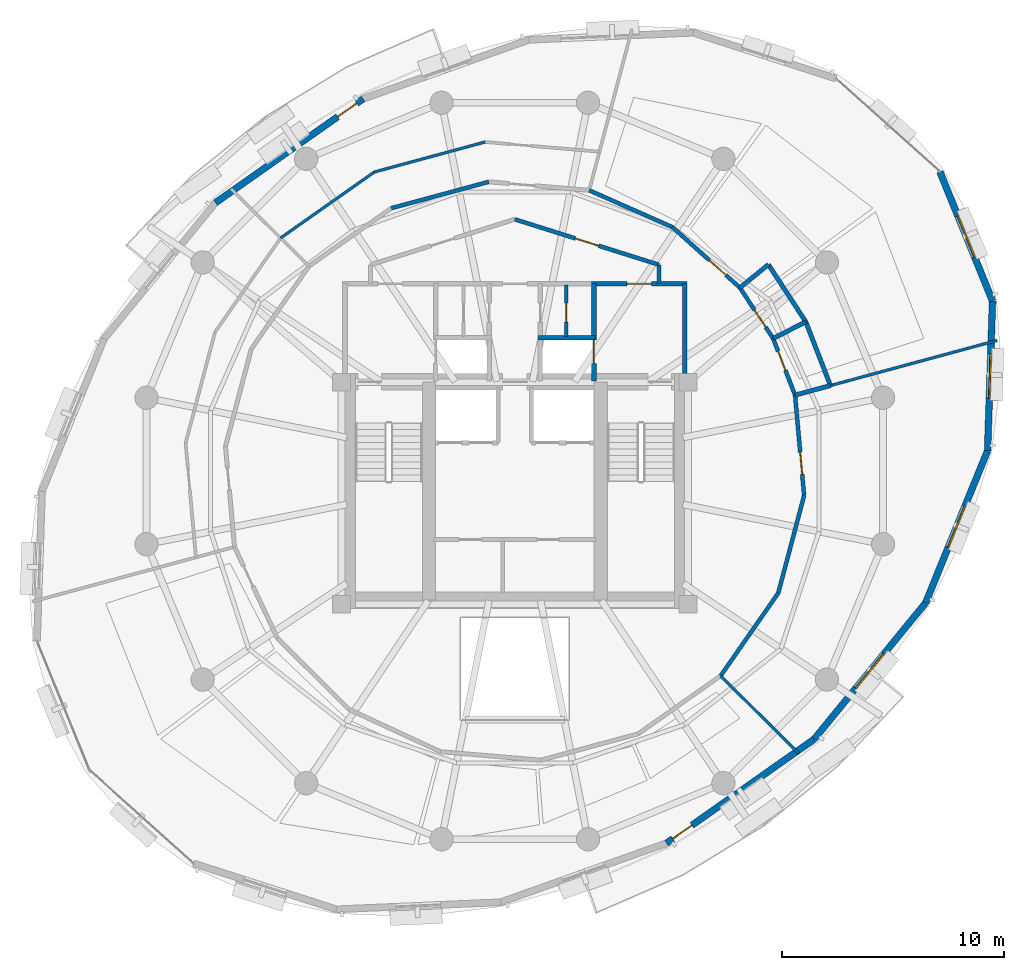
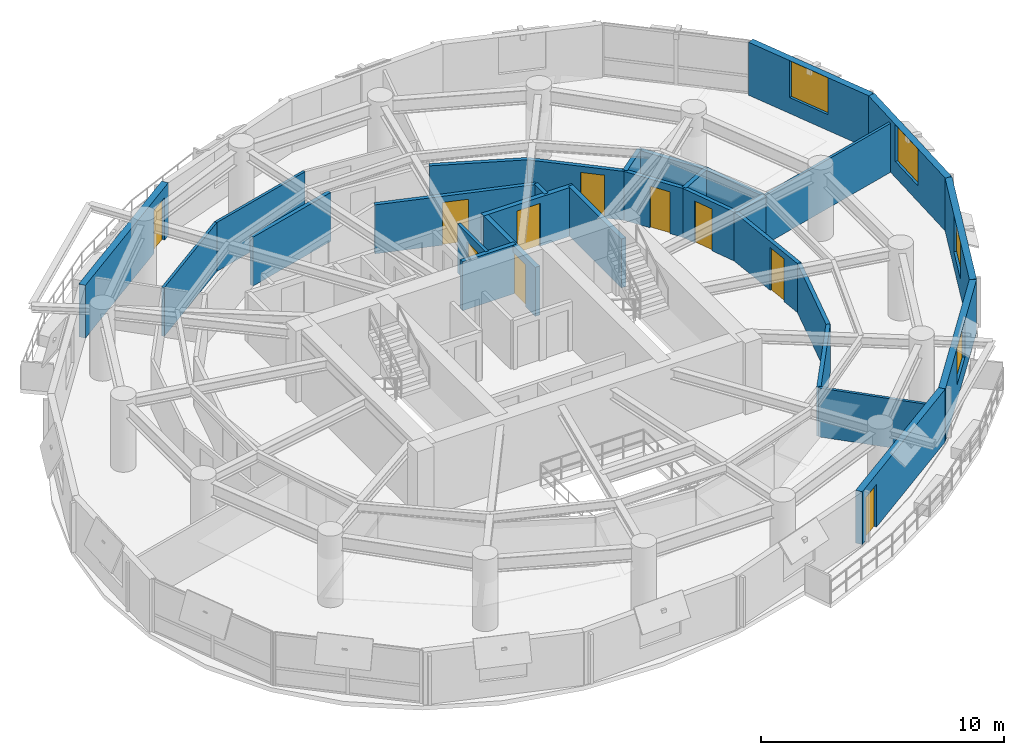
# One storey, part 8 of 11: 30 walls, 10 doors, 4 windows, 14 openings.
"""IFC4 building model written with IfcOpenShell, lengths in metres."""

from ifc_helpers import new_model, si_unit, direction, frame, frame_2d, origin, place, context, subcontext, project, spatial, rectangle, extrude, material, layer, layer_set, type_object, element, fill, save


model = new_model("IFC4")

# Units and contexts
model_context = context("Model", 3, precision=1e-05, world=origin(), true_north=direction((0.0, 1.0)))
body_context = subcontext(model_context, "Body", "Model", "MODEL_VIEW")
ifc_project = project(units=[si_unit("LENGTHUNIT", "METRE"), si_unit("AREAUNIT", "SQUARE_METRE"), si_unit("VOLUMEUNIT", "CUBIC_METRE"), si_unit("PLANEANGLEUNIT", "RADIAN"), si_unit("MASSUNIT", "GRAM", prefix="KILO"), si_unit("THERMODYNAMICTEMPERATUREUNIT", "KELVIN"), si_unit("POWERUNIT", "WATT")], contexts=[model_context])

# Site, building, storey
site_placement = place(None, origin())
site = spatial("IfcSite", under=ifc_project, at=site_placement, CompositionType="ELEMENT")
building_placement = place(site_placement, origin())
building = spatial("IfcBuilding", under=site, at=building_placement, Name="Ocrelia Relay Tower", CompositionType="ELEMENT")
storey_placement = place(building_placement, frame((0.0, 0.0, 180.800048828125)))
storey = spatial("IfcBuildingStorey", under=building, at=storey_placement, Name="L43", CompositionType="ELEMENT", Elevation=180.800048828125)

# Wall
ifc_material_1 = material(Name="Gypsum Fireboard Partition EI60", Category="gypsum")
ifc_layer_1 = layer(ifc_material_1, 0.179931640625, Name="Gypsum Fireboard Partition EI60")
ifc_layer_set_1 = layer_set([ifc_layer_1], Name="Gypsum Fireboard Partition EI60")
wall_type_1 = type_object("IfcWallType", Name="W-CORR-EI60-180", PredefinedType="PARTITIONING", material=ifc_layer_set_1)
wall_1_placement = place(storey_placement, frame((40.5, 35.280029296875, 0.0), z_axis=(0.0, 0.0, 1.0), x_axis=(0.0, -1.0, 0.0)))
element("IfcWall", 1, at=wall_1_placement, inside=storey, type_object=wall_type_1, Name="L43 Smoke Lobby East Return", PredefinedType="PARTITIONING", context=body_context, shape_type="SweptSolid", body=[
    extrude(rectangle(XDim=0.85009765625, YDim=0.179931640625, at=frame_2d((0.425048828125, 0.0))), origin(), (0.0, 0.0, 1.0), 2.4599609375),
])

# Wall, opening, door
wall_2_placement = place(storey_placement, frame((34.0, 37.330078125, 0.0), z_axis=(0.0, 0.0, 1.0), x_axis=(0.953691418528, -0.300786765376, 0.0)))
wall_2 = element("IfcWall", 2, at=wall_2_placement, inside=storey, type_object=wall_type_1, Name="L43 North Smoke Lobby E Screen Wall", PredefinedType="PARTITIONING", context=body_context, shape_type="SweptSolid", body=[
    extrude(rectangle(XDim=6.815673828125, YDim=0.179931640625, at=frame_2d((3.40771484375, 0.0))), origin(), (0.0, 0.0, 1.0), 2.4599609375),
])
opening_1_placement = place(wall_2_placement, frame((2.85791015625, 0.0, 0.0)))
opening_1 = element("IfcOpeningElement", 3, at=opening_1_placement, cuts=wall_2, Name="Opening D-FD60", PredefinedType="OPENING", context=body_context, shape_type="SweptSolid", body=[
    extrude(rectangle(XDim=1.10009765625, YDim=2.14990234375, at=frame_2d((0.550048828125, 1.074951171875))), frame((0.0, 0.10009765625, 0.0), z_axis=(0.0, -1.0, 0.0), x_axis=(1.0, 0.0, 0.0)), (0.0, 0.0, 1.0), 0.199951171875),
])
ifc_material_2 = material(Name="Timber-core 60-min acoustic fire door", Category="wood")
door_type_1 = type_object("IfcDoorType", Name="DR-LOBBY-FD60-1100", OperationType="NOTDEFINED", PredefinedType="DOOR", material=ifc_material_2)
door_1_placement = place(opening_1_placement, origin())
door_1 = element("IfcDoor", 4, at=door_1_placement, inside=storey, type_object=door_type_1, Name="L43 North Smoke Lobby E Fire Door", OperationType="SINGLE_SWING_LEFT", OverallHeight=2.14990234375, OverallWidth=1.10009765625, PredefinedType="DOOR", context=body_context, shape_type="SweptSolid", body=[
    extrude(rectangle(XDim=1.10009765625, YDim=2.14990234375, at=frame_2d((0.550048828125, 1.074951171875))), frame((0.0, 0.02490234375, 0.0), z_axis=(0.0, -1.0, 0.0), x_axis=(1.0, 0.0, 0.0)), (0.0, 0.0, 1.0), 0.050048828125),
])
fill(opening_1, door_1)

wall_3_placement = place(storey_placement, frame((46.61572265625, 29.415771484375, 0.0), z_axis=(0.0, 0.0, 1.0), x_axis=(-0.360798574026, 0.932643763171, 0.0)))
wall_3 = element("IfcWall", 5, at=wall_3_placement, inside=storey, type_object=wall_type_1, Name="L43 Staff Toilet Corridor Wall", PredefinedType="PARTITIONING", context=body_context, shape_type="SweptSolid", body=[
    extrude(rectangle(XDim=2.732421875, YDim=0.179931640625, at=frame_2d((1.3662109375, 0.0))), origin(), (0.0, 0.0, 1.0), 2.4599609375),
])
opening_2_placement = place(wall_3_placement, frame((1.19677734375, 0.0, 0.0)))
opening_2 = element("IfcOpeningElement", 6, at=opening_2_placement, cuts=wall_3, Name="Opening D-WC92", PredefinedType="OPENING", context=body_context, shape_type="SweptSolid", body=[
    extrude(rectangle(XDim=0.919921875, YDim=2.10009765625, at=frame_2d((0.4599609375, 1.050048828125))), frame((0.0, 0.10009765625, 0.0), z_axis=(0.0, -1.0, 0.0), x_axis=(1.0, 0.0, 0.0)), (0.0, 0.0, 1.0), 0.199951171875),
])
ifc_material_3 = material(Name="Laminate washroom door", Category="wood")
door_type_2 = type_object("IfcDoorType", Name="DR-WC-920", OperationType="NOTDEFINED", PredefinedType="DOOR", material=ifc_material_3)
door_2_placement = place(opening_2_placement, origin())
door_2 = element("IfcDoor", 7, at=door_2_placement, inside=storey, type_object=door_type_2, Name="L43 Staff Toilet Door", OperationType="SINGLE_SWING_RIGHT", OverallHeight=2.10009765625, OverallWidth=0.919921875, PredefinedType="DOOR", context=body_context, shape_type="SweptSolid", body=[
    extrude(rectangle(XDim=0.919921875, YDim=2.10009765625, at=frame_2d((0.4599609375, 1.050048828125))), frame((0.0, 0.02490234375, 0.0), z_axis=(0.0, -1.0, 0.0), x_axis=(1.0, 0.0, 0.0)), (0.0, 0.0, 1.0), 0.050048828125),
])
fill(opening_2, door_2)

wall_4_placement = place(storey_placement, frame((45.6298828125, 31.964111328125, 0.0), z_axis=(0.0, 0.0, 1.0), x_axis=(-0.546840033284, 0.837237109783, 0.0)))
wall_4 = element("IfcWall", 8, at=wall_4_placement, inside=storey, type_object=wall_type_1, Name="L43 Accessible Toilet Corridor Wall", PredefinedType="PARTITIONING", context=body_context, shape_type="SweptSolid", body=[
    extrude(rectangle(XDim=2.732421875, YDim=0.179931640625, at=frame_2d((1.3662109375, 0.0))), origin(), (0.0, 0.0, 1.0), 2.4599609375),
])
opening_3_placement = place(wall_4_placement, frame((0.61572265625, 0.0, 0.0)))
opening_3 = element("IfcOpeningElement", 9, at=opening_3_placement, cuts=wall_4, Name="Opening D-WC92", PredefinedType="OPENING", context=body_context, shape_type="SweptSolid", body=[
    extrude(rectangle(XDim=0.919921875, YDim=2.10009765625, at=frame_2d((0.4599609375, 1.050048828125))), frame((0.0, 0.10009765625, 0.0), z_axis=(0.0, -1.0, 0.0), x_axis=(1.0, 0.0, 0.0)), (0.0, 0.0, 1.0), 0.199951171875),
])
door_3_placement = place(opening_3_placement, origin())
door_3 = element("IfcDoor", 10, at=door_3_placement, inside=storey, type_object=door_type_2, Name="L43 Accessible Toilet Door", OperationType="SINGLE_SWING_LEFT", OverallHeight=2.10009765625, OverallWidth=0.919921875, PredefinedType="DOOR", context=body_context, shape_type="SweptSolid", body=[
    extrude(rectangle(XDim=0.919921875, YDim=2.10009765625, at=frame_2d((0.4599609375, 1.050048828125))), frame((0.0, 0.02490234375, 0.0), z_axis=(0.0, -1.0, 0.0), x_axis=(1.0, 0.0, 0.0)), (0.0, 0.0, 1.0), 0.050048828125),
])
fill(opening_3, door_3)

wall_5_placement = place(storey_placement, frame((44.1357421875, 34.251708984375, 0.0), z_axis=(0.0, 0.0, 1.0), x_axis=(-0.74490394687, 0.667171724474, 0.0)))
wall_5 = element("IfcWall", 11, at=wall_5_placement, inside=storey, type_object=wall_type_1, Name="L43 Technical Reference Library Corridor Partition 1", PredefinedType="PARTITIONING", context=body_context, shape_type="SweptSolid", body=[
    extrude(rectangle(XDim=4.08935546875, YDim=0.179931640625, at=frame_2d((2.044677734375, 0.0))), origin(), (0.0, 0.0, 1.0), 2.4599609375),
])
opening_4_placement = place(wall_5_placement, frame((0.847412109375, 0.0, 0.0)))
opening_4 = element("IfcOpeningElement", 12, at=opening_4_placement, cuts=wall_5, Name="Opening D-RM100", PredefinedType="OPENING", context=body_context, shape_type="SweptSolid", body=[
    extrude(rectangle(XDim=1.0, YDim=2.14990234375, at=frame_2d((0.5, 1.074951171875))), frame((0.0, 0.10009765625, 0.0), z_axis=(0.0, -1.0, 0.0), x_axis=(1.0, 0.0, 0.0)), (0.0, 0.0, 1.0), 0.199951171875),
])
ifc_material_4 = material(Name="Acoustic oak veneer fire door", Category="wood")
door_type_3 = type_object("IfcDoorType", Name="DR-ROOM-FD60-1000", OperationType="NOTDEFINED", PredefinedType="DOOR", material=ifc_material_4)
door_4_placement = place(opening_4_placement, origin())
door_4 = element("IfcDoor", 13, at=door_4_placement, inside=storey, type_object=door_type_3, Name="L43 Technical Reference Library Entrance Door", OperationType="SINGLE_SWING_RIGHT", OverallHeight=2.14990234375, OverallWidth=1.0, PredefinedType="DOOR", context=body_context, shape_type="SweptSolid", body=[
    extrude(rectangle(XDim=1.0, YDim=2.14990234375, at=frame_2d((0.5, 1.074951171875))), frame((0.0, 0.02490234375, 0.0), z_axis=(0.0, -1.0, 0.0), x_axis=(1.0, 0.0, 0.0)), (0.0, 0.0, 1.0), 0.050048828125),
])
fill(opening_4, door_4)

# Walls
wall_6_placement = place(storey_placement, frame((41.089599609375, 36.97998046875, 0.0), z_axis=(0.0, 0.0, 1.0), x_axis=(-0.914595215727, 0.404370611406, 0.0)))
element("IfcWall", 14, at=wall_6_placement, inside=storey, type_object=wall_type_1, Name="L43 Technical Reference Library Corridor Partition 2", PredefinedType="PARTITIONING", context=body_context, shape_type="SweptSolid", body=[
    extrude(rectangle(XDim=4.089111328125, YDim=0.179931640625, at=frame_2d((2.04443359375, 0.0))), origin(), (0.0, 0.0, 1.0), 2.4599609375),
])
wall_7_placement = place(storey_placement, frame((32.826904296875, 39.01708984375, 0.0), z_axis=(0.0, 0.0, 1.0), x_axis=(-0.965248703795, -0.261333005613, 0.0)))
element("IfcWall", 15, at=wall_7_placement, inside=storey, type_object=wall_type_1, Name="L43 Cloud Engineering Workspace Corridor Partition 2", PredefinedType="PARTITIONING", context=body_context, shape_type="SweptSolid", body=[
    extrude(rectangle(XDim=4.539306640625, YDim=0.179931640625, at=frame_2d((2.26953125, 0.0))), origin(), (0.0, 0.0, 1.0), 2.4599609375),
])
wall_8_placement = place(storey_placement, frame((43.26611328125, 16.7822265625, 0.0), z_axis=(0.0, 0.0, 1.0), x_axis=(0.571417432894, 0.820659562416, 0.0)))
element("IfcWall", 16, at=wall_8_placement, inside=storey, type_object=wall_type_1, Name="L43 Fiber Patch Store Corridor Partition 1", PredefinedType="PARTITIONING", context=body_context, shape_type="SweptSolid", body=[
    extrude(rectangle(XDim=4.5390625, YDim=0.179931640625, at=frame_2d((2.26953125, 0.0))), origin(), (0.0, 0.0, 1.0), 2.4599609375),
])
wall_9_placement = place(storey_placement, frame((45.85986328125, 20.50732421875, 0.0), z_axis=(0.0, 0.0, 1.0), x_axis=(0.256279852774, 0.966602626244, 0.0)))
element("IfcWall", 17, at=wall_9_placement, inside=storey, type_object=wall_type_1, Name="L43 Fiber Patch Store Corridor Partition 2", PredefinedType="PARTITIONING", context=body_context, shape_type="SweptSolid", body=[
    extrude(rectangle(XDim=4.539306640625, YDim=0.179931640625, at=frame_2d((2.26953125, 0.0))), origin(), (0.0, 0.0, 1.0), 2.4599609375),
])

# Wall, opening, door
wall_10_placement = place(storey_placement, frame((47.023193359375, 24.89501953125, 0.0), z_axis=(0.0, 0.0, 1.0), x_axis=(-0.089769483635, 0.995962569481, 0.0)))
wall_10 = element("IfcWall", 18, at=wall_10_placement, inside=storey, type_object=wall_type_1, Name="L43 Fiber Patch Store Corridor Partition 3", PredefinedType="PARTITIONING", context=body_context, shape_type="SweptSolid", body=[
    extrude(rectangle(XDim=4.5390625, YDim=0.179931640625, at=frame_2d((2.26953125, 0.0))), origin(), (0.0, 0.0, 1.0), 2.4599609375),
])
opening_5_placement = place(wall_10_placement, frame((0.959716796875, 0.0, 0.0)))
opening_5 = element("IfcOpeningElement", 19, at=opening_5_placement, cuts=wall_10, Name="Opening D-RM100", PredefinedType="OPENING", context=body_context, shape_type="SweptSolid", body=[
    extrude(rectangle(XDim=1.0, YDim=2.14990234375, at=frame_2d((0.5, 1.074951171875))), frame((0.0, 0.10009765625, 0.0), z_axis=(0.0, -1.0, 0.0), x_axis=(1.0, 0.0, 0.0)), (0.0, 0.0, 1.0), 0.199951171875),
])
door_5_placement = place(opening_5_placement, origin())
door_5 = element("IfcDoor", 20, at=door_5_placement, inside=storey, type_object=door_type_3, Name="L43 Fiber Patch Store Entrance Door", OperationType="SINGLE_SWING_RIGHT", OverallHeight=2.14990234375, OverallWidth=1.0, PredefinedType="DOOR", context=body_context, shape_type="SweptSolid", body=[
    extrude(rectangle(XDim=1.0, YDim=2.14990234375, at=frame_2d((0.5, 1.074951171875))), frame((0.0, 0.02490234375, 0.0), z_axis=(0.0, -1.0, 0.0), x_axis=(1.0, 0.0, 0.0)), (0.0, 0.0, 1.0), 0.050048828125),
])
fill(opening_5, door_5)

ifc_material_5 = material(Name="Precast concrete C40/50 with oxide terracotta", Category="masonry")
ifc_layer_2 = layer(ifc_material_5, 0.300048828125, Name="Precast concrete C40/50 with oxide terracotta")
ifc_layer_set_2 = layer_set([ifc_layer_2], Name="Precast concrete C40/50 with oxide terracotta")
wall_type_2 = type_object("IfcWallType", Name="W-EXT-TERR-300", PredefinedType="SOLIDWALL", material=ifc_layer_set_2)
wall_11_placement = place(storey_placement, frame((27.173583984375, 42.7529296875, 0.0), z_axis=(0.0, 0.0, 1.0), x_axis=(-0.817646670358, -0.575720350911, 0.0)))
wall_11 = element("IfcWall", 21, at=wall_11_placement, inside=storey, type_object=wall_type_2, Name="L43 Oxide Terracotta Facade Wall 05", PredefinedType="SOLIDWALL", context=body_context, shape_type="SweptSolid", body=[
    extrude(rectangle(XDim=8.126708984375, YDim=0.300048828125, at=frame_2d((4.0634765625, 0.0))), origin(), (0.0, 0.0, 1.0), 2.659912109375),
])
opening_6_placement = place(wall_11_placement, frame((0.35009765625, 0.0, 0.0)))
opening_6 = element("IfcOpeningElement", 22, at=opening_6_placement, cuts=wall_11, Name="Opening DB-105", PredefinedType="OPENING", context=body_context, shape_type="SweptSolid", body=[
    extrude(rectangle(XDim=1.050048828125, YDim=2.14990234375, at=frame_2d((0.52490234375, 1.074951171875))), frame((0.0, 0.16015625, 0.0), z_axis=(0.0, -1.0, 0.0), x_axis=(1.0, 0.0, 0.0)), (0.0, 0.0, 1.0), 0.320068359375),
])
ifc_material_6 = material(Name="Thermally broken aluminium and clear glass", Category="aluminium")
door_type_4 = type_object("IfcDoorType", Name="DR-BALC-1050", OperationType="NOTDEFINED", PredefinedType="DOOR", material=ifc_material_6)
door_6_placement = place(opening_6_placement, origin())
door_6 = element("IfcDoor", 23, at=door_6_placement, inside=storey, type_object=door_type_4, Name="L43 Planted Loggia Balcony Door B1", OperationType="SINGLE_SWING_LEFT", OverallHeight=2.14990234375, OverallWidth=1.050048828125, PredefinedType="DOOR", context=body_context, shape_type="SweptSolid", body=[
    extrude(rectangle(XDim=1.050048828125, YDim=2.14990234375, at=frame_2d((0.52490234375, 1.074951171875))), frame((0.0, 0.02490234375, 0.0), z_axis=(0.0, -1.0, 0.0), x_axis=(1.0, 0.0, 0.0)), (0.0, 0.0, 1.0), 0.050048828125),
])
fill(opening_6, door_6)

wall_12_placement = place(storey_placement, frame((40.826416015625, 9.2470703125, 0.0), z_axis=(0.0, 0.0, 1.0), x_axis=(0.817646670358, 0.575720350911, 0.0)))
wall_12 = element("IfcWall", 24, at=wall_12_placement, inside=storey, type_object=wall_type_2, Name="L43 Oxide Terracotta Facade Wall 14", PredefinedType="SOLIDWALL", context=body_context, shape_type="SweptSolid", body=[
    extrude(rectangle(XDim=8.126708984375, YDim=0.300048828125, at=frame_2d((4.0634765625, 0.0))), origin(), (0.0, 0.0, 1.0), 2.659912109375),
])
opening_7_placement = place(wall_12_placement, frame((0.35009765625, 0.0, 0.0)))
opening_7 = element("IfcOpeningElement", 25, at=opening_7_placement, cuts=wall_12, Name="Opening DB-105", PredefinedType="OPENING", context=body_context, shape_type="SweptSolid", body=[
    extrude(rectangle(XDim=1.050048828125, YDim=2.14990234375, at=frame_2d((0.52490234375, 1.074951171875))), frame((0.0, 0.16015625, 0.0), z_axis=(0.0, -1.0, 0.0), x_axis=(1.0, 0.0, 0.0)), (0.0, 0.0, 1.0), 0.320068359375),
])
door_7_placement = place(opening_7_placement, origin())
door_7 = element("IfcDoor", 26, at=door_7_placement, inside=storey, type_object=door_type_4, Name="L43 Planted Loggia Balcony Door B2", OperationType="SINGLE_SWING_LEFT", OverallHeight=2.14990234375, OverallWidth=1.050048828125, PredefinedType="DOOR", context=body_context, shape_type="SweptSolid", body=[
    extrude(rectangle(XDim=1.050048828125, YDim=2.14990234375, at=frame_2d((0.52490234375, 1.074951171875))), frame((0.0, 0.02490234375, 0.0), z_axis=(0.0, -1.0, 0.0), x_axis=(1.0, 0.0, 0.0)), (0.0, 0.0, 1.0), 0.050048828125),
])
fill(opening_7, door_7)

# Wall, opening, window
wall_13_placement = place(storey_placement, frame((47.47119140625, 13.92578125, 0.0), z_axis=(0.0, 0.0, 1.0), x_axis=(0.633273009349, 0.773928482245, 0.0)))
wall_13 = element("IfcWall", 27, at=wall_13_placement, inside=storey, type_object=wall_type_2, Name="L43 Oxide Terracotta Facade Wall 15", PredefinedType="SOLIDWALL", context=body_context, shape_type="SweptSolid", body=[
    extrude(rectangle(XDim=7.927001953125, YDim=0.300048828125, at=frame_2d((3.96337890625, 0.0))), origin(), (0.0, 0.0, 1.0), 2.659912109375),
])
opening_8_placement = place(wall_13_placement, frame((2.964111328125, 0.0, 0.800048828125)))
opening_8 = element("IfcOpeningElement", 28, at=opening_8_placement, cuts=wall_13, Name="Opening W-03", PredefinedType="OPENING", context=body_context, shape_type="SweptSolid", body=[
    extrude(rectangle(XDim=2.0, YDim=1.85009765625, at=frame_2d((1.0, 0.925048828125))), frame((0.0, 0.16015625, 0.0), z_axis=(0.0, -1.0, 0.0), x_axis=(1.0, 0.0, 0.0)), (0.0, 0.0, 1.0), 0.320068359375),
])
ifc_material_7 = material(Name="Clear double-glazed low-E glass", Category="glass")
window_type = type_object("IfcWindowType", Name="WIN-Z3-2000x2200", PartitioningType="DOUBLE_PANEL_VERTICAL", PredefinedType="WINDOW", material=ifc_material_7)
window_1_placement = place(opening_8_placement, origin())
window_1 = element("IfcWindow", 29, at=window_1_placement, inside=storey, type_object=window_type, Name="L43 Facade Module Window 15", OverallHeight=1.85009765625, OverallWidth=2.0, PartitioningType="SINGLE_PANEL", PredefinedType="WINDOW", context=body_context, shape_type="SweptSolid", body=[
    extrude(rectangle(XDim=2.0, YDim=1.85009765625, at=frame_2d((1.0, 0.925048828125))), frame((0.0, 0.030029296875, 0.0), z_axis=(0.0, -1.0, 0.0), x_axis=(1.0, 0.0, 0.0)), (0.0, 0.0, 1.0), 0.06005859375),
])
fill(opening_8, window_1)

wall_14_placement = place(storey_placement, frame((52.4912109375, 20.060791015625, 0.0), z_axis=(0.0, 0.0, 1.0), x_axis=(0.377124954744, 0.926162387764, 0.0)))
wall_14 = element("IfcWall", 30, at=wall_14_placement, inside=storey, type_object=wall_type_2, Name="L43 Oxide Terracotta Facade Wall 16", PredefinedType="SOLIDWALL", context=body_context, shape_type="SweptSolid", body=[
    extrude(rectangle(XDim=7.3974609375, YDim=0.300048828125, at=frame_2d((3.69873046875, 0.0))), origin(), (0.0, 0.0, 1.0), 2.659912109375),
])
opening_9_placement = place(wall_14_placement, frame((2.698974609375, 0.0, 0.800048828125)))
opening_9 = element("IfcOpeningElement", 31, at=opening_9_placement, cuts=wall_14, Name="Opening W-03", PredefinedType="OPENING", context=body_context, shape_type="SweptSolid", body=[
    extrude(rectangle(XDim=2.0, YDim=1.85009765625, at=frame_2d((1.0, 0.925048828125))), frame((0.0, 0.16015625, 0.0), z_axis=(0.0, -1.0, 0.0), x_axis=(1.0, 0.0, 0.0)), (0.0, 0.0, 1.0), 0.320068359375),
])
window_2_placement = place(opening_9_placement, origin())
window_2 = element("IfcWindow", 32, at=window_2_placement, inside=storey, type_object=window_type, Name="L43 Facade Module Window 16", OverallHeight=1.85009765625, OverallWidth=2.0, PartitioningType="SINGLE_PANEL", PredefinedType="WINDOW", context=body_context, shape_type="SweptSolid", body=[
    extrude(rectangle(XDim=2.0, YDim=1.85009765625, at=frame_2d((1.0, 0.925048828125))), frame((0.0, 0.030029296875, 0.0), z_axis=(0.0, -1.0, 0.0), x_axis=(1.0, 0.0, 0.0)), (0.0, 0.0, 1.0), 0.06005859375),
])
fill(opening_9, window_2)

wall_15_placement = place(storey_placement, frame((55.281005859375, 26.912109375, 0.0), z_axis=(0.0, 0.0, 1.0), x_axis=(0.033009922207, 0.999455024019, 0.0)))
wall_15 = element("IfcWall", 33, at=wall_15_placement, inside=storey, type_object=wall_type_2, Name="L43 Oxide Terracotta Facade Wall 17", PredefinedType="SOLIDWALL", context=body_context, shape_type="SweptSolid", body=[
    extrude(rectangle(XDim=6.7451171875, YDim=0.300048828125, at=frame_2d((3.37255859375, 0.0))), origin(), (0.0, 0.0, 1.0), 2.659912109375),
])
opening_10_placement = place(wall_15_placement, frame((2.373046875, 0.0, 0.800048828125)))
opening_10 = element("IfcOpeningElement", 34, at=opening_10_placement, cuts=wall_15, Name="Opening W-03", PredefinedType="OPENING", context=body_context, shape_type="SweptSolid", body=[
    extrude(rectangle(XDim=2.0, YDim=1.85009765625, at=frame_2d((1.0, 0.925048828125))), frame((0.0, 0.16015625, 0.0), z_axis=(0.0, -1.0, 0.0), x_axis=(1.0, 0.0, 0.0)), (0.0, 0.0, 1.0), 0.320068359375),
])
window_3_placement = place(opening_10_placement, origin())
window_3 = element("IfcWindow", 35, at=window_3_placement, inside=storey, type_object=window_type, Name="L43 Facade Module Window 17", OverallHeight=1.85009765625, OverallWidth=2.0, PartitioningType="SINGLE_PANEL", PredefinedType="WINDOW", context=body_context, shape_type="SweptSolid", body=[
    extrude(rectangle(XDim=2.0, YDim=1.85009765625, at=frame_2d((1.0, 0.925048828125))), frame((0.0, 0.030029296875, 0.0), z_axis=(0.0, -1.0, 0.0), x_axis=(1.0, 0.0, 0.0)), (0.0, 0.0, 1.0), 0.06005859375),
])
fill(opening_10, window_3)

wall_16_placement = place(storey_placement, frame((55.503662109375, 33.653564453125, 0.0), z_axis=(0.0, 0.0, 1.0), x_axis=(-0.377332684147, 0.926077775068, 0.0)))
wall_16 = element("IfcWall", 36, at=wall_16_placement, inside=storey, type_object=wall_type_2, Name="L43 Oxide Terracotta Facade Wall 18", PredefinedType="SOLIDWALL", context=body_context, shape_type="SweptSolid", body=[
    extrude(rectangle(XDim=6.282470703125, YDim=0.300048828125, at=frame_2d((3.14111328125, 0.0))), origin(), (0.0, 0.0, 1.0), 2.659912109375),
])
opening_11_placement = place(wall_16_placement, frame((2.14111328125, 0.0, 0.800048828125)))
opening_11 = element("IfcOpeningElement", 37, at=opening_11_placement, cuts=wall_16, Name="Opening W-03", PredefinedType="OPENING", context=body_context, shape_type="SweptSolid", body=[
    extrude(rectangle(XDim=2.0, YDim=1.85009765625, at=frame_2d((1.0, 0.925048828125))), frame((0.0, 0.16015625, 0.0), z_axis=(0.0, -1.0, 0.0), x_axis=(1.0, 0.0, 0.0)), (0.0, 0.0, 1.0), 0.320068359375),
])
window_4_placement = place(opening_11_placement, origin())
window_4 = element("IfcWindow", 38, at=window_4_placement, inside=storey, type_object=window_type, Name="L43 Facade Module Window 18", OverallHeight=1.85009765625, OverallWidth=2.0, PartitioningType="SINGLE_PANEL", PredefinedType="WINDOW", context=body_context, shape_type="SweptSolid", body=[
    extrude(rectangle(XDim=2.0, YDim=1.85009765625, at=frame_2d((1.0, 0.925048828125))), frame((0.0, 0.030029296875, 0.0), z_axis=(0.0, -1.0, 0.0), x_axis=(1.0, 0.0, 0.0)), (0.0, 0.0, 1.0), 0.06005859375),
])
fill(opening_11, window_4)

# Wall, opening, door
ifc_material_8 = material(Name="Concrete C50/60", Category="concrete")
ifc_layer_3 = layer(ifc_material_8, 0.219970703125, Name="Concrete C50/60")
ifc_layer_set_3 = layer_set([ifc_layer_3], Name="Concrete C50/60")
wall_type_3 = type_object("IfcWallType", Name="W-FFL-EI120-220", PredefinedType="SOLIDWALL", material=ifc_layer_set_3)
wall_17_placement = place(storey_placement, frame((37.56005859375, 30.050048828125, 0.0), z_axis=(0.0, 0.0, 1.0), x_axis=(0.0, 1.0, 0.0)))
wall_17 = element("IfcWall", 39, at=wall_17_placement, inside=storey, type_object=wall_type_3, Name="L43 E Fire Service Lift Lobby West Wall", PredefinedType="SOLIDWALL", context=body_context, shape_type="SweptSolid", body=[
    extrude(rectangle(XDim=4.3798828125, YDim=0.219970703125, at=frame_2d((2.18994140625, 0.0))), origin(), (0.0, 0.0, 1.0), 2.4599609375),
])
opening_12_placement = place(wall_17_placement, frame((0.800048828125, 0.0, 0.0)))
opening_12 = element("IfcOpeningElement", 40, at=opening_12_placement, cuts=wall_17, Name="Opening LD-FFL2", PredefinedType="OPENING", context=body_context, shape_type="SweptSolid", body=[
    extrude(rectangle(XDim=1.050048828125, YDim=2.10009765625, at=frame_2d((0.52490234375, 1.050048828125))), frame((0.0, 0.1201171875, 0.0), z_axis=(0.0, -1.0, 0.0), x_axis=(1.0, 0.0, 0.0)), (0.0, 0.0, 1.0), 0.239990234375),
])
ifc_material_9 = material(Name="Brushed stainless steel S355 lift landing door", Category="steel")
door_type_5 = type_object("IfcDoorType", Name="DR-LIFT-LAND-1050", OperationType="DOUBLE_DOOR_SLIDING", PredefinedType="USERDEFINED", material=ifc_material_9)
door_8_placement = place(opening_12_placement, origin())
door_8 = element("IfcDoor", 41, at=door_8_placement, inside=storey, type_object=door_type_5, Name="L43 Firefighting Lift FFL2 Sliding Landing Door", ObjectType="LANDING DOOR", OperationType="DOUBLE_DOOR_SLIDING", OverallHeight=2.10009765625, OverallWidth=1.050048828125, PredefinedType="USERDEFINED", context=body_context, shape_type="SweptSolid", body=[
    extrude(rectangle(XDim=1.050048828125, YDim=2.10009765625, at=frame_2d((0.52490234375, 1.050048828125))), frame((0.0, 0.02490234375, 0.0), z_axis=(0.0, -1.0, 0.0), x_axis=(1.0, 0.0, 0.0)), (0.0, 0.0, 1.0), 0.050048828125),
])
fill(opening_12, door_8)

# Wall
wall_18_placement = place(storey_placement, frame((41.64990234375, 30.050048828125, 0.0), z_axis=(0.0, 0.0, 1.0), x_axis=(0.0, 1.0, 0.0)))
element("IfcWall", 42, at=wall_18_placement, inside=storey, type_object=wall_type_3, Name="L43 E Fire Service Lift Lobby East Wall", PredefinedType="SOLIDWALL", context=body_context, shape_type="SweptSolid", body=[
    extrude(rectangle(XDim=4.3798828125, YDim=0.219970703125, at=frame_2d((2.18994140625, 0.0))), origin(), (0.0, 0.0, 1.0), 2.4599609375),
])

# Wall, opening, door
wall_19_placement = place(storey_placement, frame((37.449951171875, 34.429931640625, 0.0), z_axis=(0.0, 0.0, 1.0), x_axis=(1.0, 0.0, 0.0)))
wall_19 = element("IfcWall", 43, at=wall_19_placement, inside=storey, type_object=wall_type_3, Name="L43 E Fire Service Lift Lobby North Wall", PredefinedType="SOLIDWALL", context=body_context, shape_type="SweptSolid", body=[
    extrude(rectangle(XDim=4.31005859375, YDim=0.219970703125, at=frame_2d((2.155029296875, 0.0))), origin(), (0.0, 0.0, 1.0), 2.4599609375),
])
opening_13_placement = place(wall_19_placement, frame((1.60009765625, 0.0, 0.0)))
opening_13 = element("IfcOpeningElement", 44, at=opening_13_placement, cuts=wall_19, Name="Opening D-FD60", PredefinedType="OPENING", context=body_context, shape_type="SweptSolid", body=[
    extrude(rectangle(XDim=1.10009765625, YDim=2.14990234375, at=frame_2d((0.550048828125, 1.074951171875))), frame((0.0, 0.1201171875, 0.0), z_axis=(0.0, -1.0, 0.0), x_axis=(1.0, 0.0, 0.0)), (0.0, 0.0, 1.0), 0.239990234375),
])
door_9_placement = place(opening_13_placement, origin())
door_9 = element("IfcDoor", 45, at=door_9_placement, inside=storey, type_object=door_type_1, Name="L43 E Fire Service Lift Lobby Exit Door", OperationType="SINGLE_SWING_LEFT", OverallHeight=2.14990234375, OverallWidth=1.10009765625, PredefinedType="DOOR", context=body_context, shape_type="SweptSolid", body=[
    extrude(rectangle(XDim=1.10009765625, YDim=2.14990234375, at=frame_2d((0.550048828125, 1.074951171875))), frame((0.0, 0.02490234375, 0.0), z_axis=(0.0, -1.0, 0.0), x_axis=(1.0, 0.0, 0.0)), (0.0, 0.0, 1.0), 0.050048828125),
])
fill(opening_13, door_9)

# Walls
ifc_material_10 = material(Name="Acoustic Fireboard Partition EI60", Category="gypsum")
ifc_layer_4 = layer(ifc_material_10, 0.125, Name="Acoustic Fireboard Partition EI60")
ifc_layer_set_4 = layer_set([ifc_layer_4], Name="Acoustic Fireboard Partition EI60")
wall_type_4 = type_object("IfcWallType", Name="W-PART-125", PredefinedType="PARTITIONING", material=ifc_layer_set_4)
wall_20_placement = place(storey_placement, frame((48.20849609375, 29.846923828125, 0.0), z_axis=(0.0, 0.0, 1.0), x_axis=(0.965239591232, 0.26136666107, 0.0)))
element("IfcWall", 46, at=wall_20_placement, inside=storey, type_object=wall_type_4, Name="L43 Technical Reference Library Radial Partition", PredefinedType="PARTITIONING", context=body_context, shape_type="SweptSolid", body=[
    extrude(rectangle(XDim=7.76611328125, YDim=0.125, at=frame_2d((3.883056640625, 0.0))), origin(), (0.0, 0.0, 1.0), 2.4599609375),
])
for number, where, z_axis, x_axis, name in (
    (47, (32.665283203125, 40.81005859375, 0.0), (0.0, 0.0, 1.0), (-0.965236808475, -0.261376937705, 0.0), "L43 Perimeter Cloud Engineering Workspace Mid-Ring Partition 2"),
    (48, (27.680419921875, 39.460205078125, 0.0), (0.0, 0.0, 1.0), (-0.817656414875, -0.575706511352, 0.0), "L43 Perimeter Cloud Engineering Workspace Mid-Ring Partition 3"),
):
    element("IfcWall", number, at=place(storey_placement, frame(where, z_axis=z_axis, x_axis=x_axis)), inside=storey, type_object=wall_type_4, Name=name, PredefinedType="PARTITIONING", context=body_context, shape_type="SweptSolid", body=[
        extrude(rectangle(XDim=5.164306640625, YDim=0.125, at=frame_2d((2.58203125, 0.0))), origin(), (0.0, 0.0, 1.0), 2.4599609375),
    ])
wall_21_placement = place(storey_placement, frame((43.26611328125, 16.7822265625, 0.0), z_axis=(0.0, 0.0, 1.0), x_axis=(0.708981208515, -0.705227371826, 0.0)))
element("IfcWall", 49, at=wall_21_placement, inside=storey, type_object=wall_type_4, Name="L43 Spectrum Operations Office Radial Partition", PredefinedType="PARTITIONING", context=body_context, shape_type="SweptSolid", body=[
    extrude(rectangle(XDim=4.94287109375, YDim=0.125, at=frame_2d((2.471435546875, 0.0))), origin(), (0.0, 0.0, 1.0), 2.4599609375),
])

# Wall, opening, door
ifc_layer_5 = layer(ifc_material_10, 0.14990234375, Name="Acoustic Fireboard Partition EI60")
ifc_layer_set_5 = layer_set([ifc_layer_5], Name="Acoustic Fireboard Partition EI60")
wall_type_5 = type_object("IfcWallType", Name="W-PART-150", PredefinedType="PARTITIONING", material=ifc_layer_set_5)
wall_22_placement = place(storey_placement, frame((36.31005859375, 32.050048828125, 0.0), z_axis=(0.0, 0.0, 1.0), x_axis=(0.0, 1.0, 0.0)))
wall_22 = element("IfcWall", 50, at=wall_22_placement, inside=storey, type_object=wall_type_5, Name="L43 East Core Support Partition", PredefinedType="PARTITIONING", context=body_context, shape_type="SweptSolid", body=[
    extrude(rectangle(XDim=2.329833984375, YDim=0.14990234375, at=frame_2d((1.1650390625, 0.0))), origin(), (0.0, 0.0, 1.0), 2.4599609375),
])
opening_14_placement = place(wall_22_placement, frame((0.64990234375, 0.0, 0.0)))
opening_14 = element("IfcOpeningElement", 51, at=opening_14_placement, cuts=wall_22, Name="Opening D-RS86", PredefinedType="OPENING", context=body_context, shape_type="SweptSolid", body=[
    extrude(rectangle(XDim=0.860107421875, YDim=2.050048828125, at=frame_2d((0.43017578125, 1.02490234375))), frame((0.0, 0.0849609375, 0.0), z_axis=(0.0, -1.0, 0.0), x_axis=(1.0, 0.0, 0.0)), (0.0, 0.0, 1.0), 0.169921875),
])
ifc_material_11 = material(Name="Steel S355 riser access fire door", Category="steel")
door_type_6 = type_object("IfcDoorType", Name="DR-RISER-TRAP-860", OperationType="NOTDEFINED", PredefinedType="TRAPDOOR", material=ifc_material_11)
door_10_placement = place(opening_14_placement, origin())
door_10 = element("IfcDoor", 52, at=door_10_placement, inside=storey, type_object=door_type_6, Name="L43 East Core Store Connecting Door", OperationType="SINGLE_SWING_LEFT", OverallHeight=2.050048828125, OverallWidth=0.860107421875, PredefinedType="TRAPDOOR", context=body_context, shape_type="SweptSolid", body=[
    extrude(rectangle(XDim=0.860107421875, YDim=2.050048828125, at=frame_2d((0.43017578125, 1.02490234375))), frame((0.0, 0.02490234375, 0.0), z_axis=(0.0, -1.0, 0.0), x_axis=(1.0, 0.0, 0.0)), (0.0, 0.0, 1.0), 0.050048828125),
])
fill(opening_14, door_10)

# Walls
ifc_material_12 = material(Name="Moisture-Resistant Fireboard Chase Wall EI60", Category="gypsum")
ifc_layer_6 = layer(ifc_material_12, 0.199951171875, Name="Moisture-Resistant Fireboard Chase Wall EI60")
ifc_layer_set_6 = layer_set([ifc_layer_6], Name="Moisture-Resistant Fireboard Chase Wall EI60")
wall_type_6 = type_object("IfcWallType", Name="W-PLUMB-200", PredefinedType="PLUMBINGWALL", material=ifc_layer_set_6)
for number, where, z_axis, x_axis, name in (
    (53, (46.61572265625, 29.415771484375, 0.0), (0.0, 0.0, 1.0), (0.965260585424, 0.261289116165, 0.0), "L43 Staff Toilet Plumbing Radial Wall"),
    (54, (45.6298828125, 31.964111328125, 0.0), (0.0, 0.0, 1.0), (0.889823624468, 0.456304632168, 0.0), "L43 Staff Toilet Plumbing Radial Wall"),
):
    element("IfcWall", number, at=place(storey_placement, frame(where, z_axis=z_axis, x_axis=x_axis)), inside=storey, type_object=wall_type_6, Name=name, PredefinedType="PLUMBINGWALL", context=body_context, shape_type="SweptSolid", body=[
        extrude(rectangle(XDim=1.650146484375, YDim=0.199951171875, at=frame_2d((0.8251953125, 0.0))), origin(), (0.0, 0.0, 1.0), 2.4599609375),
    ])
wall_23_placement = place(storey_placement, frame((48.20849609375, 29.846923828125, 0.0), z_axis=(0.0, 0.0, 1.0), x_axis=(-0.360807141902, 0.932640448593, 0.0)))
element("IfcWall", 55, at=wall_23_placement, inside=storey, type_object=wall_type_6, Name="L43 Staff Toilet Back Plumbing Wall", PredefinedType="PLUMBINGWALL", context=body_context, shape_type="SweptSolid", body=[
    extrude(rectangle(XDim=3.077392578125, YDim=0.199951171875, at=frame_2d((1.53857421875, 0.0))), origin(), (0.0, 0.0, 1.0), 2.4599609375),
])
wall_24_placement = place(storey_placement, frame((44.1357421875, 34.251708984375, 0.0), z_axis=(0.0, 0.0, 1.0), x_axis=(0.775484501566, 0.631366603354, 0.0)))
element("IfcWall", 56, at=wall_24_placement, inside=storey, type_object=wall_type_6, Name="L43 Accessible Toilet Plumbing Radial Wall", PredefinedType="PLUMBINGWALL", context=body_context, shape_type="SweptSolid", body=[
    extrude(rectangle(XDim=1.64990234375, YDim=0.199951171875, at=frame_2d((0.824951171875, 0.0))), origin(), (0.0, 0.0, 1.0), 2.4599609375),
])
wall_25_placement = place(storey_placement, frame((47.09814453125, 32.717041015625, 0.0), z_axis=(0.0, 0.0, 1.0), x_axis=(-0.546858135032, 0.837225286377, 0.0)))
element("IfcWall", 57, at=wall_25_placement, inside=storey, type_object=wall_type_6, Name="L43 Accessible Toilet Back Plumbing Wall", PredefinedType="PLUMBINGWALL", context=body_context, shape_type="SweptSolid", body=[
    extrude(rectangle(XDim=3.077392578125, YDim=0.199951171875, at=frame_2d((1.53857421875, 0.0))), origin(), (0.0, 0.0, 1.0), 2.4599609375),
])
ifc_layer_7 = layer(ifc_material_8, 0.199951171875, Name="Concrete C50/60")
ifc_layer_set_7 = layer_set([ifc_layer_7], Name="Concrete C50/60")
wall_type_7 = type_object("IfcWallType", Name="W-SHAFT-EI120-200", PredefinedType="SOLIDWALL", material=ifc_layer_set_7)
wall_26_placement = place(storey_placement, frame((35.050048828125, 32.0, 0.0), z_axis=(0.0, 0.0, 1.0), x_axis=(1.0, 0.0, 0.0)))
element("IfcWall", 58, at=wall_26_placement, inside=storey, type_object=wall_type_7, Name="L43 FFL2 Hoistway North Wall", PredefinedType="SOLIDWALL", context=body_context, shape_type="SweptSolid", body=[
    extrude(rectangle(XDim=2.550048828125, YDim=0.199951171875, at=frame_2d((1.27490234375, 0.0))), origin(), (0.0, 0.0, 1.0), 2.4599609375),
])

save(model, "model.ifc")
